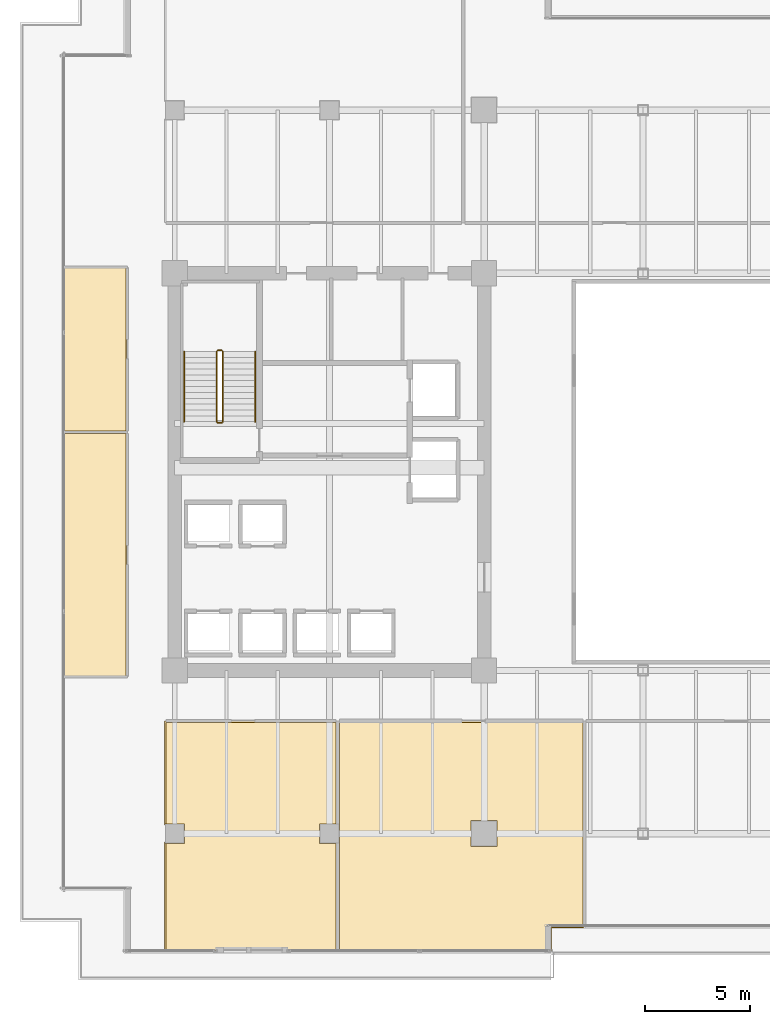
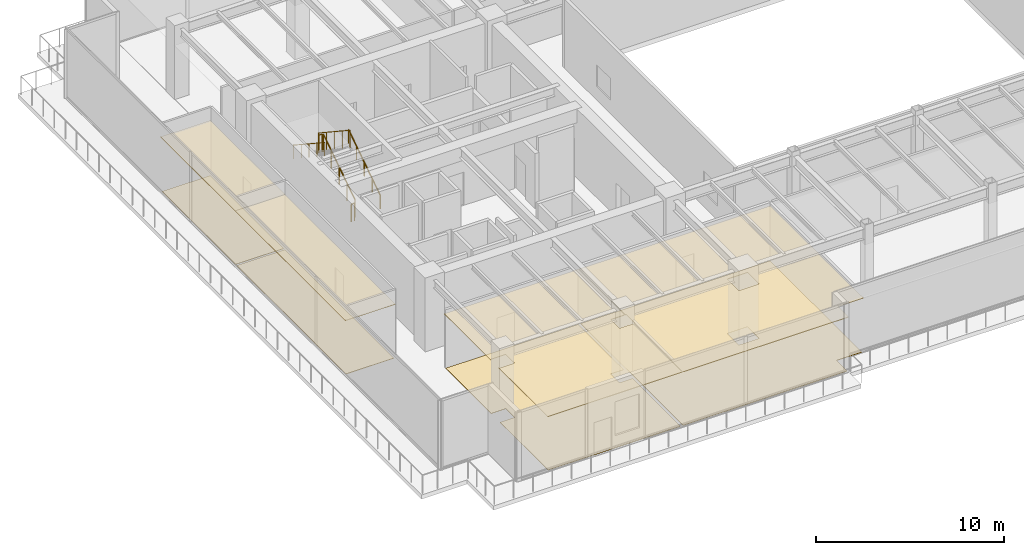
# One storey, part 30 of 33: 8 coverings, 6 railings.
"""IFC4 building model written with IfcOpenShell, lengths in metres."""

from ifc_helpers import new_model, si_unit, direction, frame, origin, origin_2d, place, context, subcontext, project, spatial, polyline, circle, outline, extrude, source, transform, mapped, material, layer, layer_set, type_object, type_shapes, element, save


model = new_model("IFC4")

# Units and contexts
model_context = context("Model", 3, precision=1e-05, world=origin(), true_north=direction((0.0, 1.0)))
body_context = subcontext(model_context, "Body", "Model", "MODEL_VIEW")
ifc_project = project(units=[si_unit("LENGTHUNIT", "METRE"), si_unit("AREAUNIT", "SQUARE_METRE"), si_unit("VOLUMEUNIT", "CUBIC_METRE"), si_unit("PLANEANGLEUNIT", "RADIAN"), si_unit("MASSUNIT", "GRAM", prefix="KILO")], contexts=[model_context])

# Site, building, storey
site_placement = place(None, origin())
site = spatial("IfcSite", under=ifc_project, at=site_placement, CompositionType="ELEMENT")
building_placement = place(site_placement, origin())
building = spatial("IfcBuilding", under=site, at=building_placement, Name="Haelvirn Gate Laboratories", CompositionType="ELEMENT")
storey_placement = place(building_placement, frame((0.0, 0.0, 100.300048828125)))
storey = spatial("IfcBuildingStorey", under=building, at=storey_placement, Name="L24", CompositionType="ELEMENT", Elevation=100.300048828125)

# Coverings
ifc_material_1 = material(Name="Micro-perforated acoustic mineral-fibre laboratory ceiling")
ifc_layer_1 = layer(ifc_material_1, 0.0400390625, Name="COV-CEIL-ACT")
ifc_layer_set_1 = layer_set([ifc_layer_1], Name="Micro-perforated acoustic mineral-fibre laboratory ceiling")
covering_type_1 = type_object("IfcCoveringType", Name="COV-CEIL-ACT", PredefinedType="CEILING", material=ifc_layer_set_1)
covering_1_placement = place(storey_placement, frame((0.0, 0.0, 3.52001953125)))
element("IfcCovering", 1, at=covering_1_placement, inside=storey, type_object=covering_type_1, Name="L24 Laboratory Acoustic Ceiling CEIL-SP-L24-S-01", PredefinedType="CEILING", context=body_context, shape_type="SweptSolid", body=[
    extrude(outline(polyline([(6.919921875, 1.35009765625), (6.919921875, 6.590087890625), (6.929931640625, 6.590087890625), (6.929931640625, 6.530029296875), (7.8701171875, 6.530029296875), (7.8701171875, 7.469970703125), (6.929931640625, 7.469970703125), (6.929931640625, 7.409912109375), (6.919921875, 7.409912109375), (6.919921875, 12.3798828125), (15.179931640625, 12.3798828125), (15.179931640625, 7.469970703125), (14.330078125, 7.469970703125), (14.330078125, 6.530029296875), (15.179931640625, 6.530029296875), (15.179931640625, 1.35009765625), (6.919921875, 1.35009765625)])), origin(), (0.0, 0.0, 1.0), 0.0400390625),
])
covering_2_placement = place(storey_placement, frame((0.0, 0.0, 3.52001953125)))
element("IfcCovering", 2, at=covering_2_placement, inside=storey, type_object=covering_type_1, Name="L24 Laboratory Acoustic Ceiling CEIL-SP-L24-S-02", PredefinedType="CEILING", context=body_context, shape_type="SweptSolid", body=[
    extrude(outline(polyline([(15.219970703125, 1.35009765625), (15.219970703125, 6.530029296875), (15.27001953125, 6.530029296875), (15.27001953125, 7.469970703125), (15.219970703125, 7.469970703125), (15.219970703125, 12.3798828125), (26.97998046875, 12.3798828125), (26.97998046875, 2.47998046875), (25.419921875, 2.47998046875), (25.419921875, 1.35009765625), (15.219970703125, 1.35009765625)]), holes=[polyline([(22.820068359375, 7.6201171875), (21.580078125, 7.6201171875), (21.580078125, 6.3798828125), (22.820068359375, 6.3798828125), (22.820068359375, 7.6201171875)])]), origin(), (0.0, 0.0, 1.0), 0.0400390625),
])
covering_3_placement = place(storey_placement, frame((0.0, 0.0, 3.52001953125)))
element("IfcCovering", 3, at=covering_3_placement, inside=storey, type_object=covering_type_1, Name="L24 Laboratory Acoustic Ceiling CEIL-SP-L24-WCELL-01", PredefinedType="CEILING", context=body_context, shape_type="SweptSolid", body=[
    extrude(outline(polyline([(2.050048828125, 26.199951171875), (5.1201171875, 26.199951171875), (5.1201171875, 14.455078125), (2.050048828125, 14.455078125), (2.050048828125, 26.199951171875)])), origin(), (0.0, 0.0, 1.0), 0.0400390625),
])
covering_4_placement = place(storey_placement, frame((0.0, 0.0, 3.52001953125)))
element("IfcCovering", 4, at=covering_4_placement, inside=storey, type_object=covering_type_1, Name="L24 Laboratory Acoustic Ceiling CEIL-SP-L24-WCELL-02", PredefinedType="CEILING", context=body_context, shape_type="SweptSolid", body=[
    extrude(outline(polyline([(2.050048828125, 34.14501953125), (5.1201171875, 34.14501953125), (5.1201171875, 26.199951171875), (2.050048828125, 26.199951171875), (2.050048828125, 34.14501953125)])), origin(), (0.0, 0.0, 1.0), 0.0400390625),
])
ifc_material_2 = material(Name="Honed granite concourse terrazzo flooring", Category="masonry")
ifc_layer_2 = layer(ifc_material_2, 0.02490234375, Name="COV-FLR-TERRA")
ifc_layer_set_2 = layer_set([ifc_layer_2], Name="Honed granite concourse terrazzo flooring")
covering_type_2 = type_object("IfcCoveringType", Name="COV-FLR-TERRA", PredefinedType="FLOORING", material=ifc_layer_set_2)
covering_5_placement = place(storey_placement, origin())
element("IfcCovering", 5, at=covering_5_placement, inside=storey, type_object=covering_type_2, Name="L24 Seamless Laboratory Flooring FLR-SP-L24-S-01", PredefinedType="FLOORING", context=body_context, shape_type="SweptSolid", body=[
    extrude(outline(polyline([(15.1201171875, 7.469970703125), (14.330078125, 7.469970703125), (14.330078125, 6.530029296875), (15.1201171875, 6.530029296875), (15.1201171875, 1.409912109375), (6.97998046875, 1.409912109375), (6.97998046875, 6.530029296875), (7.8701171875, 6.530029296875), (7.8701171875, 7.469970703125), (6.97998046875, 7.469970703125), (6.97998046875, 12.320068359375), (15.1201171875, 12.320068359375), (15.1201171875, 7.469970703125)])), origin(), (0.0, 0.0, 1.0), 0.02490234375),
])
covering_6_placement = place(storey_placement, origin())
element("IfcCovering", 6, at=covering_6_placement, inside=storey, type_object=covering_type_2, Name="L24 Seamless Laboratory Flooring FLR-SP-L24-S-02", PredefinedType="FLOORING", context=body_context, shape_type="SweptSolid", body=[
    extrude(outline(polyline([(26.919921875, 12.320068359375), (26.919921875, 2.5400390625), (25.39990234375, 2.5400390625), (25.39599609375, 2.539794921875), (25.39208984375, 2.539306640625), (25.388427734375, 2.538330078125), (25.384765625, 2.537109375), (25.381103515625, 2.535400390625), (25.377685546875, 2.533203125), (25.37451171875, 2.531005859375), (25.37158203125, 2.5283203125), (25.369140625, 2.525390625), (25.36669921875, 2.522216796875), (25.36474609375, 2.518798828125), (25.363037109375, 2.515380859375), (25.36181640625, 2.51171875), (25.36083984375, 2.5078125), (25.360107421875, 2.50390625), (25.360107421875, 2.5), (25.360107421875, 1.409912109375), (15.280029296875, 1.409912109375), (15.280029296875, 12.320068359375), (26.919921875, 12.320068359375)]), holes=[polyline([(21.580078125, 7.6201171875), (21.580078125, 6.3798828125), (22.820068359375, 6.3798828125), (22.820068359375, 7.6201171875), (21.580078125, 7.6201171875)])]), origin(), (0.0, 0.0, 1.0), 0.02490234375),
])
covering_7_placement = place(storey_placement, origin())
element("IfcCovering", 7, at=covering_7_placement, inside=storey, type_object=covering_type_2, Name="L24 Seamless Laboratory Flooring FLR-SP-L24-WCELL-01", PredefinedType="FLOORING", context=body_context, shape_type="SweptSolid", body=[
    extrude(outline(polyline([(2.110107421875, 26.139892578125), (5.06005859375, 26.139892578125), (5.06005859375, 14.514892578125), (2.110107421875, 14.514892578125), (2.110107421875, 26.139892578125)])), origin(), (0.0, 0.0, 1.0), 0.02490234375),
])
covering_8_placement = place(storey_placement, origin())
element("IfcCovering", 8, at=covering_8_placement, inside=storey, type_object=covering_type_2, Name="L24 Seamless Laboratory Flooring FLR-SP-L24-WCELL-02", PredefinedType="FLOORING", context=body_context, shape_type="SweptSolid", body=[
    extrude(outline(polyline([(2.110107421875, 34.0849609375), (5.06005859375, 34.0849609375), (5.06005859375, 26.260009765625), (2.110107421875, 26.260009765625), (2.110107421875, 34.0849609375)])), origin(), (0.0, 0.0, 1.0), 0.02490234375),
])

# Railings
ifc_material_3 = material(Name="Galvanised steel SM355 & stainless top rail", Category="steel")
railing_type_1 = type_object("IfcRailingType", Name="RL-GUARD-1150", PredefinedType="GUARDRAIL", material=ifc_material_3)
shared_shape_1 = source(origin(), body_context, "Body", "SweptSolid", [
    extrude(circle(Radius=0.02392578125, at=origin_2d()), frame((0.0, 0.0, 1.1259765625), z_axis=(0.0, 0.834876476806, 0.550437342915), x_axis=(-1.0, 0.0, 0.0)), (0.0, 0.0, 1.0), 4.024658203125),
    extrude(circle(Radius=0.02099609375, at=origin_2d()), origin(), (0.0, 0.0, 1.0), 1.101806640625),
    extrude(circle(Radius=0.02099609375, at=origin_2d()), frame((0.0, 0.840087890625, 0.5537109375)), (0.0, 0.0, 1.0), 1.101806640625),
    extrude(circle(Radius=0.02099609375, at=origin_2d()), frame((0.0, 1.68017578125, 1.107666015625)), (0.0, 0.0, 1.0), 1.101806640625),
    extrude(circle(Radius=0.02099609375, at=origin_2d()), frame((0.0, 2.52001953125, 1.66162109375)), (0.0, 0.0, 1.0), 1.101806640625),
    extrude(circle(Radius=0.02099609375, at=origin_2d()), frame((0.0, 3.360107421875, 2.21533203125)), (0.0, 0.0, 1.0), 1.101806640625),
])
railing_1_placement = place(storey_placement, frame((9.699951171875, 26.699951171875, 0.1845703125)))
element("IfcRailing", 9, at=railing_1_placement, inside=storey, type_object=railing_type_1, Name="L24 ST1 stair guard 1", PredefinedType="GUARDRAIL", context=body_context, shape_type="MappedRepresentation", body=[
    mapped(shared_shape_1, transform((0.0, 0.0, 0.0), scale=1.0)),
])
shared_shape_2 = source(origin(), body_context, "Body", "SweptSolid", [
    extrude(circle(Radius=0.02392578125, at=origin_2d()), frame((0.0, 0.0, 1.1259765625), z_axis=(-1.0, 0.0, 0.0), x_axis=(0.0, -1.0, 0.0)), (0.0, 0.0, 1.0), 0.199951171875),
    extrude(circle(Radius=0.02099609375, at=origin_2d()), origin(), (0.0, 0.0, 1.0), 1.101806640625),
    extrude(circle(Radius=0.02099609375, at=origin_2d()), frame((-0.199951171875, 0.0, 0.0)), (0.0, 0.0, 1.0), 1.101806640625),
])
for number, where, name in (
    (10, (9.64990234375, 30.110107421875, 2.39990234375), "L24 ST1 stair guard 2"),
    (11, (9.64990234375, 26.64990234375, 0.0), "L24 ST1 stair guard 4"),
):
    element("IfcRailing", number, at=place(storey_placement, frame(where)), inside=storey, type_object=railing_type_1, Name=name, PredefinedType="GUARDRAIL", context=body_context, shape_type="MappedRepresentation", body=[
        mapped(shared_shape_2, transform((0.0, 0.0, 0.0), scale=1.0)),
    ])
ifc_material_4 = material(Name="Brushed stainless steel 316L", Category="steel")
railing_type_2 = type_object("IfcRailingType", Name="RL-HAND-920", PredefinedType="HANDRAIL", material=ifc_material_4)
shared_shape_3 = source(origin(), body_context, "Body", "SweptSolid", [
    extrude(circle(Radius=0.02392578125, at=origin_2d()), frame((0.0, 0.0, 0.8759765625), z_axis=(0.0, 0.834876476806, 0.550437342915), x_axis=(-1.0, 0.0, 0.0)), (0.0, 0.0, 1.0), 4.024658203125),
    extrude(circle(Radius=0.02099609375, at=origin_2d()), origin(), (0.0, 0.0, 1.0), 0.851806640625),
    extrude(circle(Radius=0.02099609375, at=origin_2d()), frame((0.0, 0.840087890625, 0.5537109375)), (0.0, 0.0, 1.0), 0.851806640625),
    extrude(circle(Radius=0.02099609375, at=origin_2d()), frame((0.0, 1.68017578125, 1.107666015625)), (0.0, 0.0, 1.0), 0.851806640625),
    extrude(circle(Radius=0.02099609375, at=origin_2d()), frame((0.0, 2.52001953125, 1.66162109375)), (0.0, 0.0, 1.0), 0.851806640625),
    extrude(circle(Radius=0.02099609375, at=origin_2d()), frame((0.0, 3.360107421875, 2.21533203125)), (0.0, 0.0, 1.0), 0.851806640625),
])
railing_2_placement = place(storey_placement, frame((11.25, 26.699951171875, 0.1845703125)))
element("IfcRailing", 12, at=railing_2_placement, inside=storey, type_object=railing_type_2, Name="L24 ST1 stair handrail 1", PredefinedType="HANDRAIL", context=body_context, shape_type="MappedRepresentation", body=[
    mapped(shared_shape_3, transform((0.0, 0.0, 0.0), scale=1.0)),
])
shared_shape_4 = source(origin(), body_context, "Body", "SweptSolid", [
    extrude(circle(Radius=0.02392578125, at=origin_2d()), frame((0.0, 0.0, 1.1259765625), z_axis=(0.0, -0.834848600103, 0.550479622607), x_axis=(1.0, 0.0, 0.0)), (0.0, 0.0, 1.0), 4.02490234375),
    extrude(circle(Radius=0.02099609375, at=origin_2d()), origin(), (0.0, 0.0, 1.0), 1.101806640625),
    extrude(circle(Radius=0.02099609375, at=origin_2d()), frame((0.0, -0.840087890625, 0.553955078125)), (0.0, 0.0, 1.0), 1.101806640625),
    extrude(circle(Radius=0.02099609375, at=origin_2d()), frame((0.0, -1.68017578125, 1.10791015625)), (0.0, 0.0, 1.0), 1.101806640625),
    extrude(circle(Radius=0.02099609375, at=origin_2d()), frame((0.0, -2.52001953125, 1.66162109375)), (0.0, 0.0, 1.0), 1.101806640625),
    extrude(circle(Radius=0.02099609375, at=origin_2d()), frame((0.0, -3.360107421875, 2.215576171875)), (0.0, 0.0, 1.0), 1.101806640625),
])
type_shapes(railing_type_1, [shared_shape_1, shared_shape_2, shared_shape_4])
railing_3_placement = place(storey_placement, frame((9.39990234375, 30.06005859375, 2.58447265625)))
element("IfcRailing", 13, at=railing_3_placement, inside=storey, type_object=railing_type_1, Name="L24 ST1 stair guard 3", PredefinedType="GUARDRAIL", context=body_context, shape_type="MappedRepresentation", body=[
    mapped(shared_shape_4, transform((0.0, 0.0, 0.0), scale=1.0)),
])
shared_shape_5 = source(origin(), body_context, "Body", "SweptSolid", [
    extrude(circle(Radius=0.02392578125, at=origin_2d()), frame((0.0, 0.0, 0.8759765625), z_axis=(0.0, -0.834848600103, 0.550479622607), x_axis=(1.0, 0.0, 0.0)), (0.0, 0.0, 1.0), 4.02490234375),
    extrude(circle(Radius=0.02099609375, at=origin_2d()), origin(), (0.0, 0.0, 1.0), 0.851806640625),
    extrude(circle(Radius=0.02099609375, at=origin_2d()), frame((0.0, -0.840087890625, 0.553955078125)), (0.0, 0.0, 1.0), 0.851806640625),
    extrude(circle(Radius=0.02099609375, at=origin_2d()), frame((0.0, -1.68017578125, 1.10791015625)), (0.0, 0.0, 1.0), 0.851806640625),
    extrude(circle(Radius=0.02099609375, at=origin_2d()), frame((0.0, -2.52001953125, 1.66162109375)), (0.0, 0.0, 1.0), 0.851806640625),
    extrude(circle(Radius=0.02099609375, at=origin_2d()), frame((0.0, -3.360107421875, 2.215576171875)), (0.0, 0.0, 1.0), 0.851806640625),
])
type_shapes(railing_type_2, [shared_shape_3, shared_shape_5])
railing_4_placement = place(storey_placement, frame((7.85009765625, 30.06005859375, 2.58447265625)))
element("IfcRailing", 14, at=railing_4_placement, inside=storey, type_object=railing_type_2, Name="L24 ST1 stair handrail 2", PredefinedType="HANDRAIL", context=body_context, shape_type="MappedRepresentation", body=[
    mapped(shared_shape_5, transform((0.0, 0.0, 0.0), scale=1.0)),
])

save(model, "model.ifc")
